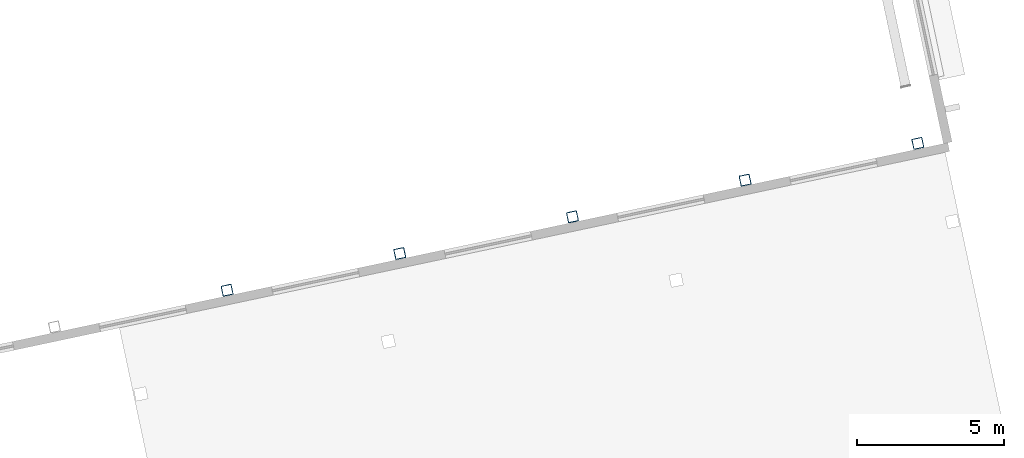
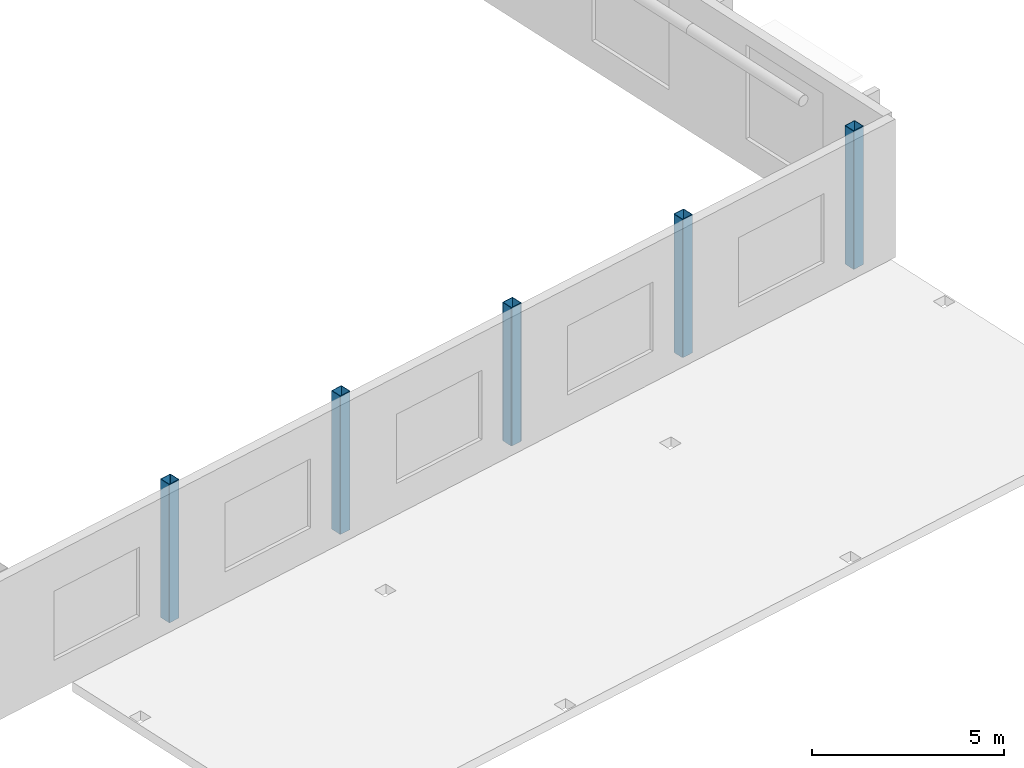
# One storey, part 13 of 95: 5 columns.
"""IFC4 building model written with IfcOpenShell, lengths in metres."""

from ifc_helpers import new_model, si_unit, direction, frame, origin, origin_2d, place, context, subcontext, project, spatial, hollow_rectangle, extrude, material, material_profile, profile_set, type_object, element, save


model = new_model("IFC4")

# Units and contexts
model_context = context("Model", 3, precision=1e-05, world=origin(), true_north=direction((0.0, 1.0)))
body_context = subcontext(model_context, "Body", "Model", "MODEL_VIEW")
ifc_project = project(units=[si_unit("LENGTHUNIT", "METRE"), si_unit("AREAUNIT", "SQUARE_METRE"), si_unit("VOLUMEUNIT", "CUBIC_METRE"), si_unit("PLANEANGLEUNIT", "RADIAN"), si_unit("MASSUNIT", "GRAM", prefix="KILO")], contexts=[model_context])

# Site, building, storey
site_placement = place(None, origin())
site = spatial("IfcSite", under=ifc_project, at=site_placement, CompositionType="ELEMENT")
building_placement = place(site_placement, origin())
building = spatial("IfcBuilding", under=site, at=building_placement, Name="Windward Yard Aquatics Centre", CompositionType="ELEMENT")
storey_placement = place(building_placement, frame((0.0, 0.0, 9.39990234375)))
storey = spatial("IfcBuildingStorey", under=building, at=storey_placement, Name="L02", CompositionType="ELEMENT", Elevation=9.39990234375)

# Columns
ifc_material = material(Name="Steel ASTM A500 Gr C", Category="steel")
ifc_material_profile = material_profile(ifc_material, hollow_rectangle(XDim=0.355712890625, YDim=0.355712890625, WallThickness=0.015869140625, InnerFilletRadius=0.008056640625, OuterFilletRadius=0.02392578125, at=origin_2d()), Name="HSS356X356X15.9")
ifc_profile_set = profile_set([ifc_material_profile], Name="Steel ASTM A500 Gr C")
column_type = type_object("IfcColumnType", Name="D column HSS356X356X15.9", PredefinedType="COLUMN", material=ifc_profile_set)
for number, where, z_axis, x_axis, name in (
    (1, (175.594970703125, 44.45654296875, 0.0), (0.0, 0.0, 1.0), (0.978147600734, 0.207911690818, 0.0), "D.COL.3.1.4"),
    (2, (181.4638671875, 45.7041015625, 0.0), (0.0, 0.0, 1.0), (0.978147600734, 0.207911690818, 0.0), "D.COL.4.1.4"),
    (3, (187.332763671875, 46.951416015625, 0.0), (0.0, 0.0, 1.0), (0.978147600734, 0.207911690818, 0.0), "D.COL.5.1.4"),
    (4, (193.20166015625, 48.198974609375, 0.0), (0.0, 0.0, 1.0), (0.978147600734, 0.207911690818, 0.0), "D.COL.6.1.4"),
    (5, (199.070556640625, 49.446533203125, 0.0), (0.0, 0.0, 1.0), (0.978147600734, 0.207911690818, 0.0), "D.COL.7.1.4"),
):
    element("IfcColumn", number, at=place(storey_placement, frame(where, z_axis=z_axis, x_axis=x_axis)), inside=storey, type_object=column_type, Name=name, PredefinedType="COLUMN", context=body_context, shape_type="SweptSolid", body=[
        extrude(hollow_rectangle(XDim=0.355712890625, YDim=0.355712890625, WallThickness=0.015869140625, InnerFilletRadius=0.008056640625, OuterFilletRadius=0.02392578125, at=origin_2d()), origin(), (0.0, 0.0, 1.0), 4.400146484375),
    ])

save(model, "model.ifc")
